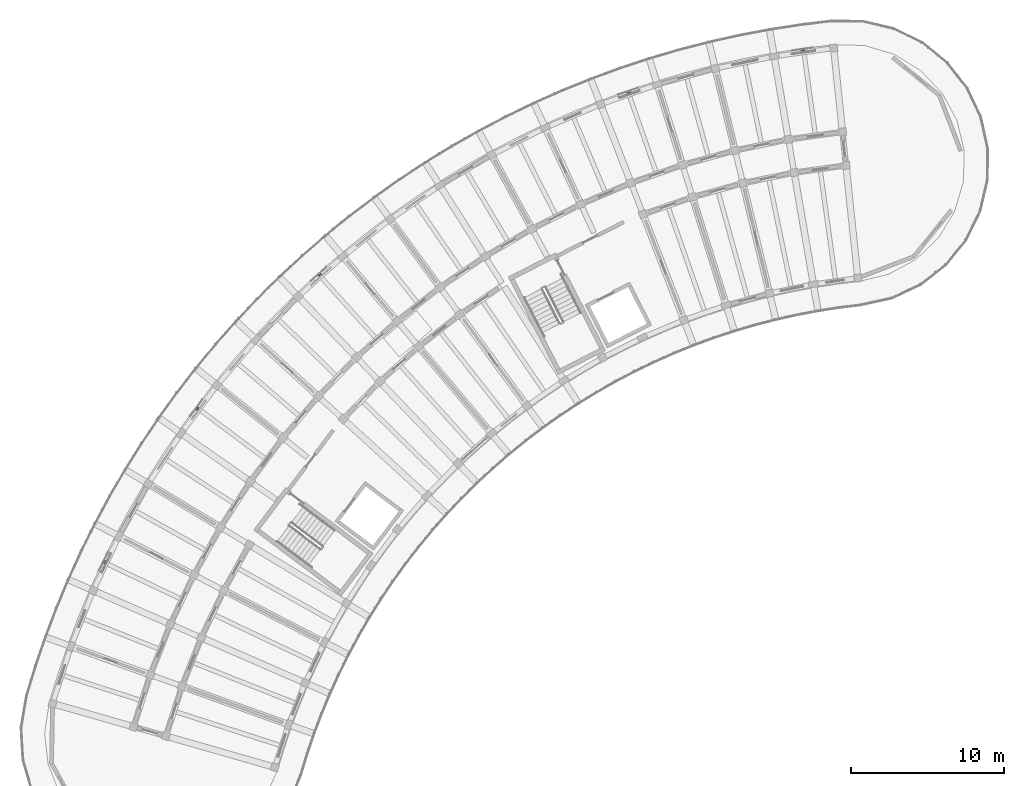
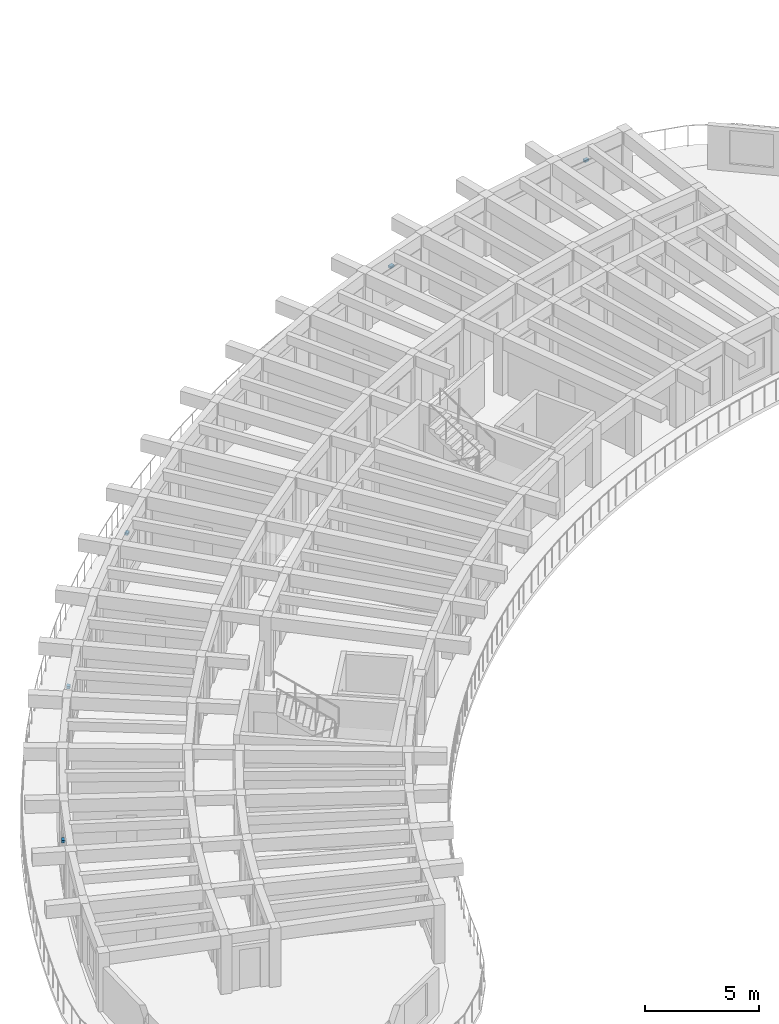
# One storey, part 39 of 56: 5 discrete accessories.
"""IFC4 building model written with IfcOpenShell, lengths in metres."""

from ifc_helpers import new_model, si_unit, direction, frame, origin, origin_2d, place, context, subcontext, project, spatial, rectangle, extrude, material, type_object, element, save


model = new_model("IFC4")

# Units and contexts
model_context = context("Model", 3, precision=1e-05, world=origin(), true_north=direction((0.0, 1.0)))
body_context = subcontext(model_context, "Body", "Model", "MODEL_VIEW")
ifc_project = project(units=[si_unit("LENGTHUNIT", "METRE"), si_unit("AREAUNIT", "SQUARE_METRE"), si_unit("VOLUMEUNIT", "CUBIC_METRE"), si_unit("PLANEANGLEUNIT", "RADIAN"), si_unit("MASSUNIT", "GRAM", prefix="KILO")], contexts=[model_context])

# Site, building, storey
site_placement = place(None, origin())
site = spatial("IfcSite", under=ifc_project, at=site_placement, CompositionType="ELEMENT")
building_placement = place(site_placement, origin())
building = spatial("IfcBuilding", under=site, at=building_placement, Name="Tanwirah Colonnade Gardens", CompositionType="ELEMENT")
storey_placement = place(building_placement, frame((0.0, 0.0, 29.0)))
storey = spatial("IfcBuildingStorey", under=building, at=storey_placement, Name="L08", CompositionType="ELEMENT", Elevation=29.0)

# Discrete accessories
ifc_material = material(Name="Steel S355", Category="steel")
discrete_accessory_type = type_object("IfcDiscreteAccessoryType", Name="BRK-SS1", PredefinedType="BRACKET", material=ifc_material)
for number, where, z_axis, x_axis, name in (
    (1, (56.780029296875, 119.321533203125, 2.099853515625), (0.0, 0.0, 1.0), (-0.990536083953, -0.137252564226, 0.0), "Solar screen support bracket A-L08-00"),
    (2, (45.3740234375, 116.5712890625, 2.10986328125), (0.0, 0.0, 1.0), (-0.944249133311, -0.329231794092, 0.0), "Solar screen support bracket A-L08-03"),
    (3, (25.166015625, 104.654052734375, 2.18505859375), (0.0, 0.0, 1.0), (-0.744439844011, -0.667689537621, 0.0), "Solar screen support bracket A-L08-09"),
    (4, (17.173828125, 95.915283203125, 2.099853515625), (0.0, 0.0, 1.0), (-0.598712697637, -0.800963860413, 0.0), "Solar screen support bracket A-L08-12"),
    (5, (11.111572265625, 85.869873046875, 2.10986328125), (0.0, 0.0, 1.0), (-0.429636566256, -0.903001894204, 0.0), "Solar screen support bracket A-L08-15"),
):
    element("IfcDiscreteAccessory", number, at=place(storey_placement, frame(where, z_axis=z_axis, x_axis=x_axis)), inside=storey, type_object=discrete_accessory_type, Name=name, PredefinedType="BRACKET", context=body_context, shape_type="SweptSolid", body=[
        extrude(rectangle(XDim=0.219970703125, YDim=0.159912109375, at=origin_2d()), origin(), (0.0, 0.0, 1.0), 0.1201171875),
    ])

save(model, "model.ifc")
